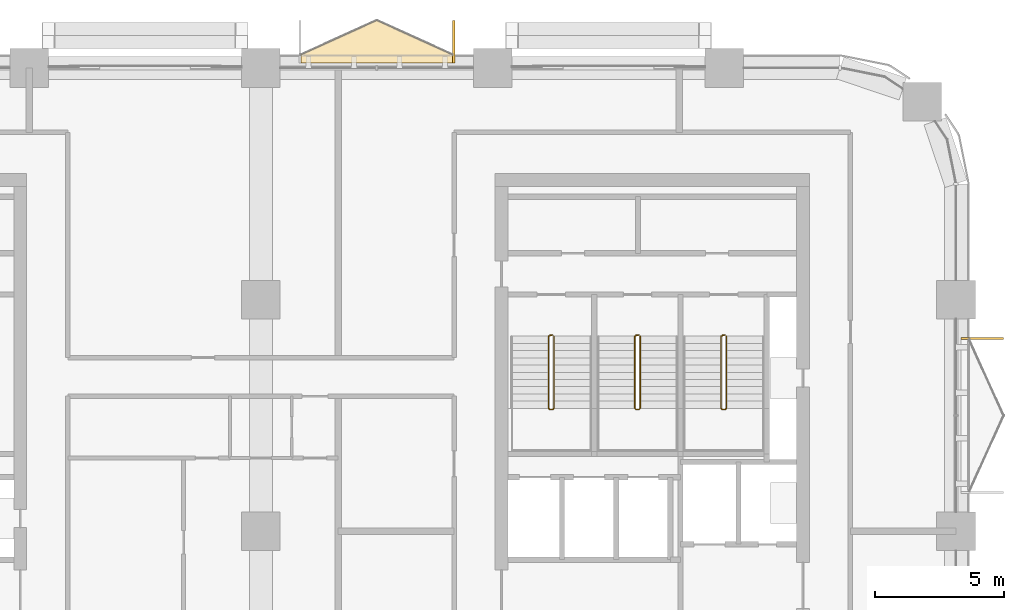
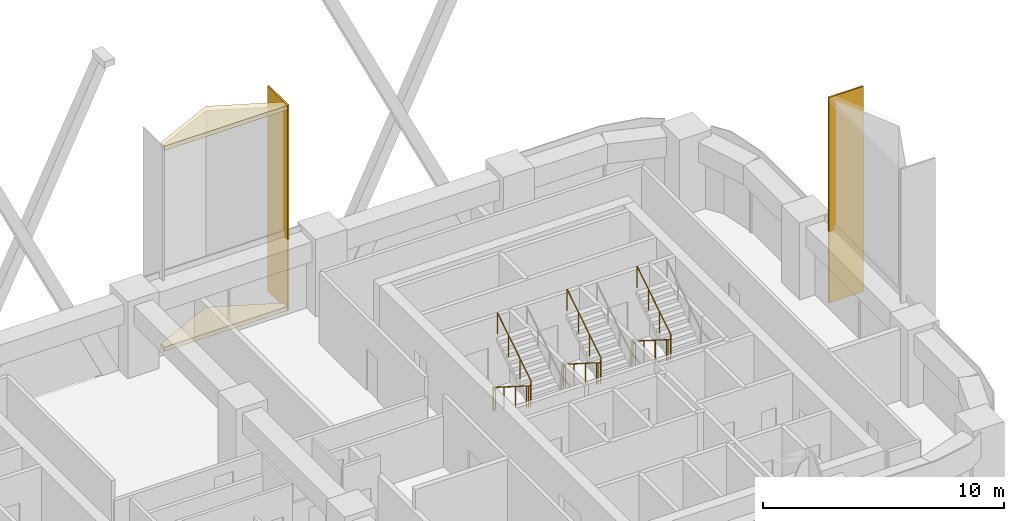
# One storey, part 14 of 14: 4 coverings, 3 railings.
"""IFC4 building model written with IfcOpenShell, lengths in metres."""

from ifc_helpers import new_model, si_unit, direction, frame, origin, origin_2d, place, context, subcontext, project, spatial, polyline, circle, outline, extrude, material, layer, layer_set, type_object, element, save


model = new_model("IFC4")

# Units and contexts
model_context = context("Model", 3, precision=1e-05, world=origin(), true_north=direction((0.0, 1.0)))
body_context = subcontext(model_context, "Body", "Model", "MODEL_VIEW")
ifc_project = project(units=[si_unit("LENGTHUNIT", "METRE"), si_unit("AREAUNIT", "SQUARE_METRE"), si_unit("VOLUMEUNIT", "CUBIC_METRE"), si_unit("PLANEANGLEUNIT", "RADIAN"), si_unit("MASSUNIT", "GRAM", prefix="KILO")], contexts=[model_context])

# Site, building, storey
site_placement = place(None, origin())
site = spatial("IfcSite", under=ifc_project, at=site_placement, CompositionType="ELEMENT")
building_placement = place(site_placement, origin())
building = spatial("IfcBuilding", under=site, at=building_placement, Name="Tessera Arch", CompositionType="ELEMENT")
storey_placement = place(building_placement, frame((0.0, 0.0, 150.5)))
storey = spatial("IfcBuildingStorey", under=building, at=storey_placement, Name="L35", CompositionType="ELEMENT", Elevation=150.5)

# Railings
ifc_material_1 = material(Name="Painted steel balustrade", Category="steel")
railing_type = type_object("IfcRailingType", Name="Stair guard 1100", PredefinedType="GUARDRAIL", material=ifc_material_1)
railing_1_placement = place(storey_placement, frame((38.219970703125, 43.6298828125, 0.0)))
element("IfcRailing", 1, at=railing_1_placement, inside=storey, type_object=railing_type, Name="L35 S1a stair guard 1", PredefinedType="GUARDRAIL", context=body_context, shape_type="SweptSolid", body=[
    extrude(circle(Radius=0.02392578125, at=origin_2d()), frame((-0.00390625, 0.0, 1.076171875), z_axis=(1.0, 0.0, 0.0), x_axis=(0.0, 1.0, 0.0)), (0.0, 0.0, 1.0), 0.1181640625),
    extrude(circle(Radius=0.02392578125, at=origin_2d()), frame((0.11279296875, 0.000732421875, 1.0732421875), z_axis=(-0.656319048605, -0.204099216335, 0.726353093426), x_axis=(0.296948579431, -0.954893471113, 0.0)), (0.0, 0.0, 1.0), 0.251953125),
    extrude(circle(Radius=0.02392578125, at=origin_2d()), frame((-0.050048828125, -0.04638671875, 1.251220703125), z_axis=(0.0, -0.844908973607, 0.534910110503), x_axis=(1.0, 0.0, 0.0)), (0.0, 0.0, 1.0), 3.322021484375),
    extrude(circle(Radius=0.02392578125, at=origin_2d()), frame((-0.052978515625, -2.846923828125, 3.02587890625), z_axis=(0.707106781187, -0.707106781187, 0.0), x_axis=(0.707106781187, 0.707106781187, 0.0)), (0.0, 0.0, 1.0), 0.078857421875),
    extrude(circle(Radius=0.02392578125, at=origin_2d()), frame((-0.00390625, -2.89990234375, 3.02587890625), z_axis=(1.0, 0.0, 0.0), x_axis=(0.0, 1.0, 0.0)), (0.0, 0.0, 1.0), 0.1181640625),
    extrude(circle(Radius=0.02392578125, at=origin_2d()), frame((0.109130859375, -2.90087890625, 3.022216796875), z_axis=(0.261041864531, 0.262321481514, 0.929001929653), x_axis=(-0.708833529934, 0.705375805398, 0.0)), (0.0, 0.0, 1.0), 0.19873046875),
    extrude(circle(Radius=0.02392578125, at=origin_2d()), frame((0.159912109375, -2.853271484375, 3.201171875), z_axis=(0.0, 0.844908973607, 0.534910110503), x_axis=(-1.0, 0.0, 0.0)), (0.0, 0.0, 1.0), 3.322021484375),
    extrude(circle(Radius=0.02099609375, at=origin_2d()), origin(), (0.0, 0.0, 1.0), 1.06396484375),
    extrude(circle(Radius=0.02099609375, at=origin_2d()), frame((0.110107421875, 0.0, 0.0)), (0.0, 0.0, 1.0), 1.06396484375),
    extrude(circle(Radius=0.02099609375, at=origin_2d()), frame((-0.050048828125, -0.0498046875, 0.17724609375)), (0.0, 0.0, 1.0), 1.06396484375),
    extrude(circle(Radius=0.02099609375, at=origin_2d()), frame((-0.050048828125, -0.983154296875, 0.76806640625)), (0.0, 0.0, 1.0), 1.06396484375),
    extrude(circle(Radius=0.02099609375, at=origin_2d()), frame((-0.050048828125, -1.91650390625, 1.359130859375)), (0.0, 0.0, 1.0), 1.06396484375),
    extrude(circle(Radius=0.02099609375, at=origin_2d()), frame((-0.050048828125, -2.849853515625, 1.949951171875)), (0.0, 0.0, 1.0), 1.06396484375),
    extrude(circle(Radius=0.02099609375, at=origin_2d()), frame((0.0, -2.89990234375, 1.949951171875)), (0.0, 0.0, 1.0), 1.06396484375),
    extrude(circle(Radius=0.02099609375, at=origin_2d()), frame((0.110107421875, -2.89990234375, 1.949951171875)), (0.0, 0.0, 1.0), 1.06396484375),
    extrude(circle(Radius=0.02099609375, at=origin_2d()), frame((0.159912109375, -2.849853515625, 2.127197265625)), (0.0, 0.0, 1.0), 1.06396484375),
    extrude(circle(Radius=0.02099609375, at=origin_2d()), frame((0.159912109375, -1.91650390625, 2.718017578125)), (0.0, 0.0, 1.0), 1.06396484375),
    extrude(circle(Radius=0.02099609375, at=origin_2d()), frame((0.159912109375, -0.983154296875, 3.30908203125)), (0.0, 0.0, 1.0), 1.06396484375),
    extrude(circle(Radius=0.02099609375, at=origin_2d()), frame((0.159912109375, -0.0498046875, 3.89990234375)), (0.0, 0.0, 1.0), 1.06396484375),
])
railing_2_placement = place(storey_placement, frame((41.570068359375, 43.6298828125, 0.0)))
element("IfcRailing", 2, at=railing_2_placement, inside=storey, type_object=railing_type, Name="L35 S1b stair guard 1", PredefinedType="GUARDRAIL", context=body_context, shape_type="SweptSolid", body=[
    extrude(circle(Radius=0.02392578125, at=origin_2d()), frame((-0.00390625, 0.0, 1.076171875), z_axis=(1.0, 0.0, 0.0), x_axis=(0.0, 1.0, 0.0)), (0.0, 0.0, 1.0), 0.117919921875),
    extrude(circle(Radius=0.02392578125, at=origin_2d()), frame((0.112548828125, 0.000732421875, 1.0732421875), z_axis=(-0.65574896516, -0.204233265485, 0.726830150696), x_axis=(0.297361876254, -0.954764847777, 0.0)), (0.0, 0.0, 1.0), 0.251953125),
    extrude(circle(Radius=0.02392578125, at=origin_2d()), frame((-0.050048828125, -0.04638671875, 1.251220703125), z_axis=(0.0, -0.844908973607, 0.534910110503), x_axis=(1.0, 0.0, 0.0)), (0.0, 0.0, 1.0), 3.322021484375),
    extrude(circle(Radius=0.02392578125, at=origin_2d()), frame((-0.052978515625, -2.846923828125, 3.02587890625), z_axis=(0.707106781187, -0.707106781187, 0.0), x_axis=(0.707106781187, 0.707106781187, 0.0)), (0.0, 0.0, 1.0), 0.078857421875),
    extrude(circle(Radius=0.02392578125, at=origin_2d()), frame((-0.00390625, -2.89990234375, 3.02587890625), z_axis=(1.0, 0.0, 0.0), x_axis=(0.0, 1.0, 0.0)), (0.0, 0.0, 1.0), 0.117919921875),
    extrude(circle(Radius=0.02392578125, at=origin_2d()), frame((0.10888671875, -2.90087890625, 3.022216796875), z_axis=(0.262233686654, 0.262233686654, 0.928691007369), x_axis=(-0.707106781187, 0.707106781187, 0.0)), (0.0, 0.0, 1.0), 0.198974609375),
    extrude(circle(Radius=0.02392578125, at=origin_2d()), frame((0.159912109375, -2.853271484375, 3.201171875), z_axis=(0.0, 0.844908973607, 0.534910110503), x_axis=(-1.0, 0.0, 0.0)), (0.0, 0.0, 1.0), 3.322021484375),
    extrude(circle(Radius=0.02099609375, at=origin_2d()), origin(), (0.0, 0.0, 1.0), 1.06396484375),
    extrude(circle(Radius=0.02099609375, at=origin_2d()), frame((0.10986328125, 0.0, 0.0)), (0.0, 0.0, 1.0), 1.06396484375),
    extrude(circle(Radius=0.02099609375, at=origin_2d()), frame((-0.050048828125, -0.0498046875, 0.17724609375)), (0.0, 0.0, 1.0), 1.06396484375),
    extrude(circle(Radius=0.02099609375, at=origin_2d()), frame((-0.050048828125, -0.983154296875, 0.76806640625)), (0.0, 0.0, 1.0), 1.06396484375),
    extrude(circle(Radius=0.02099609375, at=origin_2d()), frame((-0.050048828125, -1.91650390625, 1.359130859375)), (0.0, 0.0, 1.0), 1.06396484375),
    extrude(circle(Radius=0.02099609375, at=origin_2d()), frame((-0.050048828125, -2.849853515625, 1.949951171875)), (0.0, 0.0, 1.0), 1.06396484375),
    extrude(circle(Radius=0.02099609375, at=origin_2d()), frame((0.0, -2.89990234375, 1.949951171875)), (0.0, 0.0, 1.0), 1.06396484375),
    extrude(circle(Radius=0.02099609375, at=origin_2d()), frame((0.10986328125, -2.89990234375, 1.949951171875)), (0.0, 0.0, 1.0), 1.06396484375),
    extrude(circle(Radius=0.02099609375, at=origin_2d()), frame((0.159912109375, -2.849853515625, 2.127197265625)), (0.0, 0.0, 1.0), 1.06396484375),
    extrude(circle(Radius=0.02099609375, at=origin_2d()), frame((0.159912109375, -1.91650390625, 2.718017578125)), (0.0, 0.0, 1.0), 1.06396484375),
    extrude(circle(Radius=0.02099609375, at=origin_2d()), frame((0.159912109375, -0.983154296875, 3.30908203125)), (0.0, 0.0, 1.0), 1.06396484375),
    extrude(circle(Radius=0.02099609375, at=origin_2d()), frame((0.159912109375, -0.0498046875, 3.89990234375)), (0.0, 0.0, 1.0), 1.06396484375),
])
railing_3_placement = place(storey_placement, frame((44.919921875, 43.6298828125, 0.0)))
element("IfcRailing", 3, at=railing_3_placement, inside=storey, type_object=railing_type, Name="L35 S1c stair guard 1", PredefinedType="GUARDRAIL", context=body_context, shape_type="SweptSolid", body=[
    extrude(circle(Radius=0.02392578125, at=origin_2d()), frame((-0.00390625, 0.0, 1.076171875), z_axis=(1.0, 0.0, 0.0), x_axis=(0.0, 1.0, 0.0)), (0.0, 0.0, 1.0), 0.1181640625),
    extrude(circle(Radius=0.02392578125, at=origin_2d()), frame((0.11279296875, 0.000732421875, 1.0732421875), z_axis=(-0.65574896516, -0.204233265485, 0.726830150696), x_axis=(0.297361876254, -0.954764847777, 0.0)), (0.0, 0.0, 1.0), 0.251953125),
    extrude(circle(Radius=0.02392578125, at=origin_2d()), frame((-0.0498046875, -0.04638671875, 1.251220703125), z_axis=(0.0, -0.844908973607, 0.534910110503), x_axis=(1.0, 0.0, 0.0)), (0.0, 0.0, 1.0), 3.322021484375),
    extrude(circle(Radius=0.02392578125, at=origin_2d()), frame((-0.052734375, -2.846923828125, 3.02587890625), z_axis=(0.705375805398, -0.708833529934, 0.0), x_axis=(0.708833529934, 0.705375805398, 0.0)), (0.0, 0.0, 1.0), 0.07861328125),
    extrude(circle(Radius=0.02392578125, at=origin_2d()), frame((-0.00390625, -2.89990234375, 3.02587890625), z_axis=(1.0, 0.0, 0.0), x_axis=(0.0, 1.0, 0.0)), (0.0, 0.0, 1.0), 0.1181640625),
    extrude(circle(Radius=0.02392578125, at=origin_2d()), frame((0.109130859375, -2.90087890625, 3.022216796875), z_axis=(0.262233686654, 0.262233686654, 0.928691007369), x_axis=(-0.707106781187, 0.707106781187, 0.0)), (0.0, 0.0, 1.0), 0.198974609375),
    extrude(circle(Radius=0.02392578125, at=origin_2d()), frame((0.16015625, -2.853271484375, 3.201171875), z_axis=(0.0, 0.844908973607, 0.534910110503), x_axis=(-1.0, 0.0, 0.0)), (0.0, 0.0, 1.0), 3.322021484375),
    extrude(circle(Radius=0.02099609375, at=origin_2d()), origin(), (0.0, 0.0, 1.0), 1.06396484375),
    extrude(circle(Radius=0.02099609375, at=origin_2d()), frame((0.110107421875, 0.0, 0.0)), (0.0, 0.0, 1.0), 1.06396484375),
    extrude(circle(Radius=0.02099609375, at=origin_2d()), frame((-0.0498046875, -0.0498046875, 0.17724609375)), (0.0, 0.0, 1.0), 1.06396484375),
    extrude(circle(Radius=0.02099609375, at=origin_2d()), frame((-0.0498046875, -0.983154296875, 0.76806640625)), (0.0, 0.0, 1.0), 1.06396484375),
    extrude(circle(Radius=0.02099609375, at=origin_2d()), frame((-0.0498046875, -1.91650390625, 1.359130859375)), (0.0, 0.0, 1.0), 1.06396484375),
    extrude(circle(Radius=0.02099609375, at=origin_2d()), frame((-0.0498046875, -2.849853515625, 1.949951171875)), (0.0, 0.0, 1.0), 1.06396484375),
    extrude(circle(Radius=0.02099609375, at=origin_2d()), frame((0.0, -2.89990234375, 1.949951171875)), (0.0, 0.0, 1.0), 1.06396484375),
    extrude(circle(Radius=0.02099609375, at=origin_2d()), frame((0.110107421875, -2.89990234375, 1.949951171875)), (0.0, 0.0, 1.0), 1.06396484375),
    extrude(circle(Radius=0.02099609375, at=origin_2d()), frame((0.16015625, -2.849853515625, 2.127197265625)), (0.0, 0.0, 1.0), 1.06396484375),
    extrude(circle(Radius=0.02099609375, at=origin_2d()), frame((0.16015625, -1.91650390625, 2.718017578125)), (0.0, 0.0, 1.0), 1.06396484375),
    extrude(circle(Radius=0.02099609375, at=origin_2d()), frame((0.16015625, -0.983154296875, 3.30908203125)), (0.0, 0.0, 1.0), 1.06396484375),
    extrude(circle(Radius=0.02099609375, at=origin_2d()), frame((0.16015625, -0.0498046875, 3.89990234375)), (0.0, 0.0, 1.0), 1.06396484375),
])

# Coverings
ifc_material_2 = material(Name="Anodised aluminium pale metal", Category="aluminium")
ifc_layer_1 = layer(ifc_material_2, 0.080078125)
ifc_layer_set_1 = layer_set([ifc_layer_1], Name="Window box cheek")
covering_type_1 = type_object("IfcCoveringType", Name="Window box cheek", PredefinedType="CLADDING", material=ifc_layer_set_1)
covering_1_placement = place(storey_placement, origin())
element("IfcCovering", 4, at=covering_1_placement, inside=storey, type_object=covering_type_1, Name="Window box E54.27/0.0 2x3 cheek", PredefinedType="CLADDING", context=body_context, shape_type="SweptSolid", body=[
    extrude(outline(polyline([(55.85009765625, 43.449951171875), (55.85009765625, 43.530029296875), (54.199951171875, 43.530029296875), (54.199951171875, 43.449951171875), (55.85009765625, 43.449951171875)])), origin(), (0.0, 0.0, 1.0), 10.39990234375),
])
covering_2_placement = place(storey_placement, origin())
element("IfcCovering", 5, at=covering_2_placement, inside=storey, type_object=covering_type_1, Name="Window box N54.0/2.0 2x3 cheek", PredefinedType="CLADDING", context=body_context, shape_type="SweptSolid", body=[
    extrude(outline(polyline([(34.530029296875, 55.85009765625), (34.449951171875, 55.85009765625), (34.449951171875, 54.199951171875), (34.530029296875, 54.199951171875), (34.530029296875, 55.85009765625)])), origin(), (0.0, 0.0, 1.0), 10.39990234375),
])
ifc_material_3 = material(Name="Anodised aluminium cobalt blue", Category="aluminium")
ifc_layer_2 = layer(ifc_material_3, 0.219970703125)
ifc_layer_set_2 = layer_set([ifc_layer_2], Name="Window box frame plate cobalt")
covering_type_2 = type_object("IfcCoveringType", Name="Window box frame plate cobalt", PredefinedType="CLADDING", material=ifc_layer_set_2)
for number, where, name in (
    (6, (0.0, 0.0, 0.0), "Window box N54.0/2.0 2x3 floor"),
    (7, (0.0, 0.0, 10.179931640625), "Window box N54.0/2.0 2x3 roof"),
):
    element("IfcCovering", number, at=place(storey_placement, frame(where)), inside=storey, type_object=covering_type_2, Name=name, PredefinedType="CLADDING", context=body_context, shape_type="SweptSolid", body=[
        extrude(outline(polyline([(34.449951171875, 54.510009765625), (31.5, 55.85009765625), (28.550048828125, 54.510009765625), (28.550048828125, 54.199951171875), (34.449951171875, 54.199951171875), (34.449951171875, 54.510009765625)])), origin(), (0.0, 0.0, 1.0), 0.219970703125),
    ])

save(model, "model.ifc")
